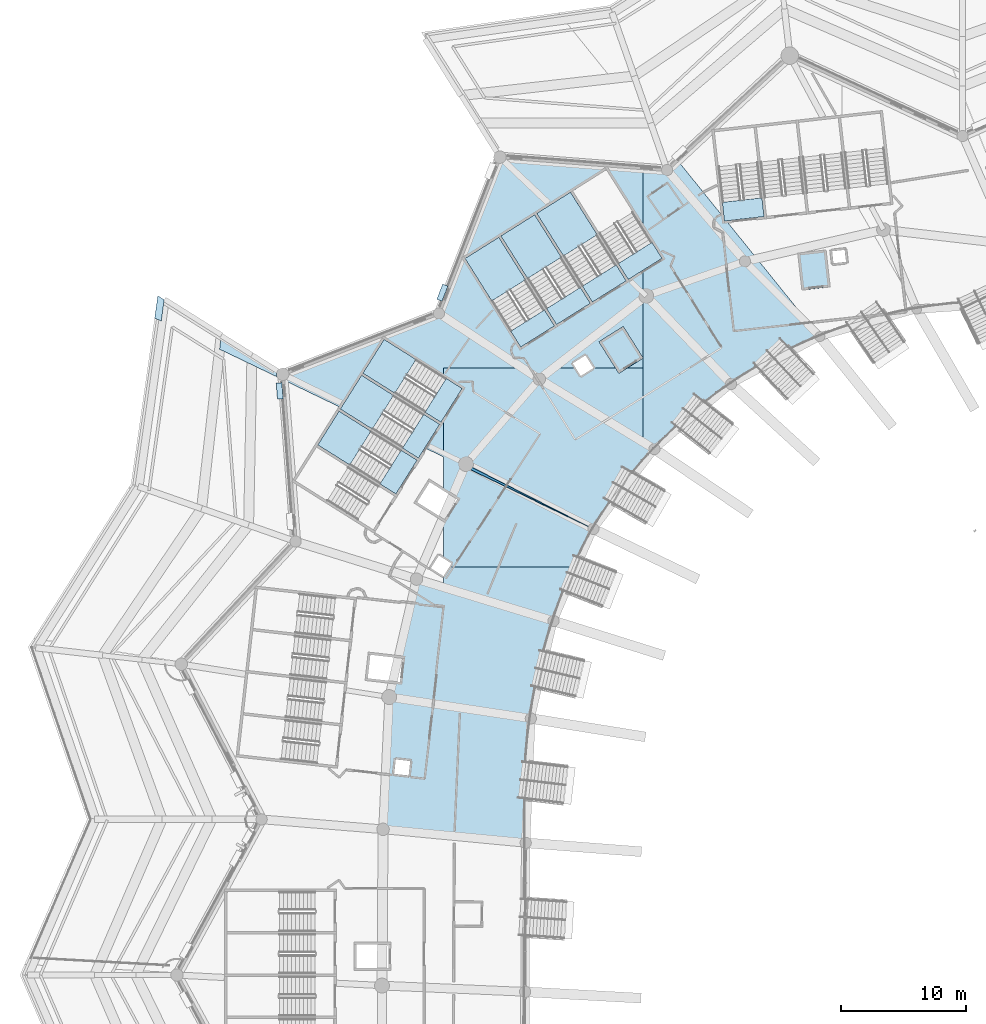
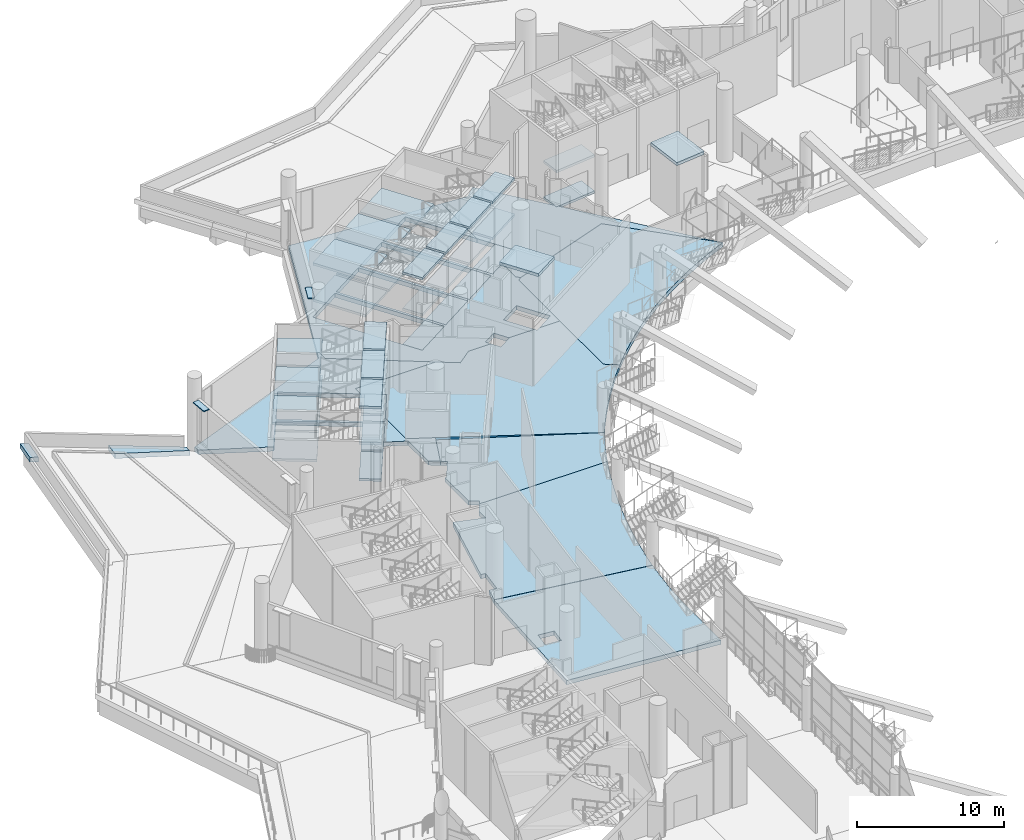
# One storey, part 34 of 173: 48 slabs, 2 plates, 8 elements without a shape of their own.
"""IFC4 building model written with IfcOpenShell, lengths in metres."""

from ifc_helpers import new_model, si_unit, direction, frame, origin, origin_2d, place, context, subcontext, project, spatial, polyline, rectangle, outline, extrude, material, layer, layer_set, type_object, element, aggregate, save


model = new_model("IFC4")

# Units and contexts
model_context = context("Model", 3, precision=1e-05, world=origin(), true_north=direction((0.0, 1.0)))
body_context = subcontext(model_context, "Body", "Model", "MODEL_VIEW")
ifc_project = project(units=[si_unit("LENGTHUNIT", "METRE"), si_unit("AREAUNIT", "SQUARE_METRE"), si_unit("VOLUMEUNIT", "CUBIC_METRE"), si_unit("PLANEANGLEUNIT", "RADIAN"), si_unit("MASSUNIT", "GRAM", prefix="KILO")], contexts=[model_context])

# Site, building, storey
site_placement = place(None, origin())
site = spatial("IfcSite", under=ifc_project, at=site_placement, CompositionType="ELEMENT")
building_placement = place(site_placement, origin())
building = spatial("IfcBuilding", under=site, at=building_placement, Name="Meseta Stadium", CompositionType="ELEMENT")
storey_placement = place(building_placement, frame((0.0, 0.0, 18.0)))
storey = spatial("IfcBuildingStorey", under=building, at=storey_placement, Name="L03", CompositionType="ELEMENT", Elevation=18.0)

# Slabs
ifc_material_1 = material(Name="Concrete C40/50", Category="concrete")
ifc_layer_1 = layer(ifc_material_1, 0.25)
ifc_layer_set_1 = layer_set([ifc_layer_1], Name="Core roof slab 250")
slab_type_1 = type_object("IfcSlabType", Name="Core roof slab 250", PredefinedType="ROOF", material=ifc_layer_set_1)
slab_1_placement = place(storey_placement, frame((0.0, 0.0, 4.60009765625)))
element("IfcSlab", 1, at=slab_1_placement, inside=storey, type_object=slab_type_1, Name="Core 12 lift overrun roof", PredefinedType="ROOF", context=body_context, shape_type="SweptSolid", body=[
    extrude(outline(polyline([(-49.289306640625, 89.46484375), (-48.95361328125, 86.483642578125), (-51.239013671875, 86.226318359375), (-51.574951171875, 89.207275390625), (-49.289306640625, 89.46484375)])), origin(), (0.0, 0.0, 1.0), 0.25),
])
slab_2_placement = place(storey_placement, frame((0.0, 0.0, 4.60009765625)))
element("IfcSlab", 2, at=slab_2_placement, inside=storey, type_object=slab_type_1, Name="Core 13 lift overrun roof", PredefinedType="ROOF", context=body_context, shape_type="SweptSolid", body=[
    extrude(outline(polyline([(-65.57421875, 83.313720703125), (-63.97802734375, 80.773681640625), (-65.925537109375, 79.5498046875), (-67.521728515625, 82.090087890625), (-65.57421875, 83.313720703125)])), origin(), (0.0, 0.0, 1.0), 0.25),
])
ifc_material_2 = material(Name="Concrete C40/50", Category="concrete")
ifc_layer_2 = layer(ifc_material_2, 0.35009765625)
ifc_layer_set_2 = layer_set([ifc_layer_2], Name="Floor slab 350")
slab_type_2 = type_object("IfcSlabType", Name="Floor slab 350", PredefinedType="FLOOR", material=ifc_layer_set_2)
slab_3_placement = place(storey_placement, frame((0.0, 0.0, -0.35009765625)))
element("IfcSlab", 3, at=slab_3_placement, inside=storey, type_object=slab_type_2, Name="Floor slab L03 sector 21 panel 03", PredefinedType="FLOOR", context=body_context, shape_type="SweptSolid", body=[
    extrude(outline(polyline([(-80.124267578125, 84.98388671875), (-80.365478515625, 84.365478515625), (-92.908447265625, 79.474609375), (-92.87451171875, 79.03369140625), (-88.2158203125, 76.793212890625), (-86.58056640625, 79.395751953125), (-80.314697265625, 75.458740234375), (-81.504150390625, 73.565673828125), (-80.0, 72.84228515625), (-80.0, 70.12353515625), (-79.308349609375, 69.68896484375), (-78.197998046875, 72.27197265625), (-80.0, 73.154296875), (-80.0, 75.959716796875), (-80.208251953125, 75.628173828125), (-86.47412109375, 79.565185546875), (-84.771484375, 82.274658203125), (-80.0, 79.276611328125), (-80.0, 80.0), (-73.699951171875, 80.0), (-80.0, 84.126220703125), (-80.0, 84.89990234375), (-80.124267578125, 84.98388671875)])), origin(), (0.0, 0.0, 1.0), 0.35009765625),
])
slab_4_placement = place(storey_placement, frame((0.0, 0.0, -0.35009765625)))
element("IfcSlab", 4, at=slab_4_placement, inside=storey, type_object=slab_type_2, Name="Floor slab L03 sector 21 panel 04", PredefinedType="FLOOR", context=body_context, shape_type="SweptSolid", body=[
    extrude(outline(polyline([(-80.0, 62.371826171875), (-82.169189453125, 63.03369140625), (-83.635498046875, 56.7060546875), (-83.2880859375, 56.6669921875), (-83.500732421875, 54.77880859375), (-84.0673828125, 54.842529296875), (-84.335693359375, 53.684326171875), (-72.99072265625, 51.857177734375), (-72.785400390625, 53.1728515625), (-72.539794921875, 54.491943359375), (-72.2548828125, 55.802978515625), (-71.931396484375, 57.104736328125), (-71.569580078125, 58.396484375), (-71.169677734375, 59.67724609375), (-70.73193359375, 60.945556640625), (-70.2568359375, 62.20068359375), (-69.74462890625, 63.441162109375), (-69.494384765625, 64.0), (-79.54296875, 64.0), (-80.0, 63.273681640625), (-80.0, 62.371826171875)])), origin(), (0.0, 0.0, 1.0), 0.35009765625),
])
slab_5_placement = place(storey_placement, frame((0.0, 0.0, -0.35009765625)))
element("IfcSlab", 5, at=slab_5_placement, inside=storey, type_object=slab_type_2, Name="Floor slab L03 sector 21 panel 05", PredefinedType="FLOOR", context=body_context, shape_type="SweptSolid", body=[
    extrude(outline(polyline([(-69.19580078125, 64.66650390625), (-68.610595703125, 65.875), (-67.972412109375, 67.057861328125), (-78.303466796875, 72.0263671875), (-79.308349609375, 69.68896484375), (-78.903564453125, 69.4345703125), (-79.914306640625, 67.82568359375), (-80.0, 67.879638671875), (-80.0, 64.69091796875), (-79.361083984375, 64.289306640625), (-79.54296875, 64.0), (-69.494384765625, 64.0), (-69.19580078125, 64.66650390625)])), origin(), (0.0, 0.0, 1.0), 0.35009765625),
])
slab_6_placement = place(storey_placement, frame((0.0, 0.0, -0.35009765625)))
element("IfcSlab", 6, at=slab_6_placement, inside=storey, type_object=slab_type_2, Name="Floor slab L03 sector 21 panel 06", PredefinedType="FLOOR", context=body_context, shape_type="SweptSolid", body=[
    extrude(outline(polyline([(-67.973388671875, 67.058349609375), (-78.197998046875, 72.27197265625), (-78.303466796875, 72.0263671875), (-67.973388671875, 67.058349609375)])), origin(), (0.0, 0.0, 1.0), 0.35009765625),
])
slab_7_placement = place(storey_placement, frame((0.0, 0.0, -0.35009765625)))
element("IfcSlab", 7, at=slab_7_placement, inside=storey, type_object=slab_type_2, Name="Floor slab L03 sector 21 panel 07", PredefinedType="FLOOR", context=body_context, shape_type="SweptSolid", body=[
    extrude(outline(polyline([(-80.0, 84.126220703125), (-72.31201171875, 79.091064453125), (-71.144287109375, 80.0), (-69.397216796875, 80.0), (-69.62158203125, 80.357177734375), (-68.605712890625, 80.99560546875), (-67.97998046875, 80.0), (-65.972412109375, 80.0), (-67.245849609375, 82.027099609375), (-65.63720703125, 83.0380859375), (-64.25390625, 80.83642578125), (-65.585205078125, 80.0), (-64.0, 80.0), (-64.0, 85.5615234375), (-63.731201171875, 85.77099609375), (-64.0, 86.02587890625), (-64.0, 87.8203125), (-65.1689453125, 87.085693359375), (-69.63818359375, 94.1982421875), (-66.9287109375, 95.90087890625), (-64.0, 91.239990234375), (-64.0, 96.023193359375), (-75.474609375, 96.908447265625), (-75.825927734375, 96.00732421875), (-75.818115234375, 96.0), (-75.828857421875, 96.0), (-80.124267578125, 84.98388671875), (-80.0, 84.89990234375), (-80.0, 84.126220703125)]), holes=[polyline([(-65.33837890625, 86.9794921875), (-68.0478515625, 85.27685546875), (-72.516845703125, 92.389404296875), (-69.807373046875, 94.091796875), (-65.33837890625, 86.9794921875)]), polyline([(-71.09619140625, 83.361572265625), (-73.8056640625, 81.6591796875), (-78.274658203125, 88.771484375), (-75.565185546875, 90.47412109375), (-71.09619140625, 83.361572265625)]), polyline([(-68.21728515625, 85.17041015625), (-70.9267578125, 83.468017578125), (-75.395751953125, 90.58056640625), (-72.686279296875, 92.282958984375), (-68.21728515625, 85.17041015625)])]), origin(), (0.0, 0.0, 1.0), 0.35009765625),
])
slab_8_placement = place(storey_placement, frame((0.0, 0.0, -0.35009765625)))
element("IfcSlab", 8, at=slab_8_placement, inside=storey, type_object=slab_type_2, Name="Floor slab L03 sector 21 panel 08", PredefinedType="FLOOR", context=body_context, shape_type="SweptSolid", body=[
    extrude(outline(polyline([(-67.972412109375, 67.057861328125), (-67.251953125, 68.197021484375), (-66.491455078125, 69.31005859375), (-65.69189453125, 70.39501953125), (-64.85400390625, 71.450927734375), (-63.97900390625, 72.476318359375), (-63.068115234375, 73.469970703125), (-63.068603515625, 73.47021484375), (-64.0, 74.098876953125), (-64.0, 80.0), (-65.585205078125, 80.0), (-65.86279296875, 79.82568359375), (-65.972412109375, 80.0), (-67.97998046875, 80.0), (-67.967041015625, 79.9794921875), (-68.983154296875, 79.341064453125), (-69.397216796875, 80.0), (-71.144287109375, 80.0), (-72.31201171875, 79.091064453125), (-73.699951171875, 80.0), (-80.0, 80.0), (-80.0, 79.276611328125), (-78.505859375, 78.337646484375), (-80.0, 75.959716796875), (-80.0, 73.154296875), (-78.197998046875, 72.27197265625), (-67.972412109375, 67.057861328125)])), origin(), (0.0, 0.0, 1.0), 0.35009765625),
])
slab_9_placement = place(storey_placement, frame((0.0, 0.0, -0.35009765625)))
element("IfcSlab", 9, at=slab_9_placement, inside=storey, type_object=slab_type_2, Name="Floor slab L03 sector 21 panel 09", PredefinedType="FLOOR", context=body_context, shape_type="SweptSolid", body=[
    extrude(outline(polyline([(-62.051513671875, 95.872802734375), (-64.0, 96.023193359375), (-64.0, 91.239990234375), (-62.45947265625, 88.788330078125), (-64.0, 87.8203125), (-64.0, 86.02587890625), (-63.731201171875, 85.77099609375), (-55.799560546875, 88.541748046875), (-49.791259765625, 82.4990234375), (-57.296142578125, 91.798095703125), (-57.449951171875, 91.78076171875), (-57.477294921875, 92.0224609375), (-61.21435546875, 96.653076171875), (-62.051513671875, 95.872802734375)])), origin(), (0.0, 0.0, 1.0), 0.35009765625),
])
slab_10_placement = place(storey_placement, frame((0.0, 0.0, -0.35009765625)))
element("IfcSlab", 10, at=slab_10_placement, inside=storey, type_object=slab_type_2, Name="Floor slab L03 sector 21 panel 10", PredefinedType="FLOOR", context=body_context, shape_type="SweptSolid", body=[
    extrude(outline(polyline([(-63.068115234375, 73.469970703125), (-62.12255859375, 74.430419921875), (-61.143310546875, 75.3564453125), (-60.131591796875, 76.247314453125), (-59.088623046875, 77.101318359375), (-58.01611328125, 77.91796875), (-56.9150390625, 78.69580078125), (-55.786865234375, 79.433837890625), (-54.63330078125, 80.13134765625), (-53.455322265625, 80.78759765625), (-52.254638671875, 81.401123046875), (-51.03271484375, 81.971923828125), (-49.791015625, 82.498779296875), (-55.799560546875, 88.541748046875), (-63.731201171875, 85.77099609375), (-64.0, 85.5615234375), (-64.0, 74.098876953125), (-63.068115234375, 73.469970703125)])), origin(), (0.0, 0.0, 1.0), 0.35009765625),
])
slab_11_placement = place(storey_placement, frame((0.0, 0.0, -0.35009765625)))
element("IfcSlab", 11, at=slab_11_placement, inside=storey, type_object=slab_type_2, Name="Floor slab L03 sector 28 panel 14", PredefinedType="FLOOR", context=body_context, shape_type="SweptSolid", body=[
    extrude(outline(polyline([(-72.993408203125, 51.837158203125), (-84.34033203125, 53.664794921875), (-84.36328125, 53.5654296875), (-84.85400390625, 42.948486328125), (-73.40478515625, 41.8623046875), (-73.375732421875, 47.840087890625), (-73.287353515625, 49.1796875), (-73.15966796875, 50.515625), (-72.993408203125, 51.837158203125)]), holes=[polyline([(-83.84716796875, 48.57861328125), (-82.65478515625, 48.444091796875), (-82.7890625, 47.251708984375), (-83.9814453125, 47.385986328125), (-83.84716796875, 48.57861328125)])]), origin(), (0.0, 0.0, 1.0), 0.35009765625),
])

# Plates
ifc_material_3 = material(Name="White precast concrete C40/50", Category="concrete")
ifc_layer_3 = layer(ifc_material_3, 0.080078125)
ifc_layer_set_3 = layer_set([ifc_layer_3], Name="Louvre hood 1300x450")
plate_type = type_object("IfcPlateType", Name="Louvre hood 1300x450", PredefinedType="USERDEFINED", material=ifc_layer_set_3)
for number, where, z_axis, x_axis, name in (
    (12, (-80.092041015625, 86.02978515625, 4.25), (0.0, 0.0, 1.0), (-0.363280249803, -0.931679912901, 0.0), "Louvre hood L03 F24"),
    (13, (-93.156494140625, 78.138671875, 4.25), (0.0, 0.0, 1.0), (0.076936568886, -0.997035989505, 0.0), "Louvre hood L03 F26"),
):
    element("IfcPlate", number, at=place(storey_placement, frame(where, z_axis=z_axis, x_axis=x_axis)), inside=storey, type_object=plate_type, Name=name, ObjectType="LOUVRE", PredefinedType="USERDEFINED", context=body_context, shape_type="SweptSolid", body=[
        extrude(rectangle(XDim=1.300048828125, YDim=0.449951171875, at=origin_2d()), origin(), (0.0, 0.0, 1.0), 0.080078125),
    ])

# Slabs
ifc_material_4 = material(Name="Concrete C40/50", Category="concrete")
ifc_layer_4 = layer(ifc_material_4, 0.39990234375)
ifc_layer_set_4 = layer_set([ifc_layer_4], Name="Roof garden slab 400")
slab_type_3 = type_object("IfcSlabType", Name="Roof garden slab 400", PredefinedType="ROOF", material=ifc_layer_set_4)
slab_12_placement = place(storey_placement, frame((0.0, 0.0, -0.39990234375)))
element("IfcSlab", 14, at=slab_12_placement, inside=storey, type_object=slab_type_3, Name="Roof garden slab 4 part 2 panel 02", PredefinedType="ROOF", context=body_context, shape_type="SweptSolid", body=[
    extrude(outline(polyline([(-102.42431640625, 85.45361328125), (-102.93212890625, 85.77294921875), (-103.186279296875, 83.992919921875), (-102.663818359375, 83.74169921875), (-102.42431640625, 85.45361328125)])), origin(), (0.0, 0.0, 1.0), 0.39990234375),
])
slab_13_placement = place(storey_placement, frame((0.0, 0.0, -0.39990234375)))
element("IfcSlab", 15, at=slab_13_placement, inside=storey, type_object=slab_type_3, Name="Roof garden slab 4 part 2 panel 05", PredefinedType="ROOF", context=body_context, shape_type="SweptSolid", body=[
    extrude(outline(polyline([(-93.333740234375, 79.74169921875), (-97.851806640625, 82.580810546875), (-97.9755859375, 81.487060546875), (-93.364990234375, 79.26953125), (-93.395751953125, 79.343994140625), (-93.412841796875, 79.474609375), (-93.395751953125, 79.60498046875), (-93.34521484375, 79.726806640625), (-93.333740234375, 79.74169921875)])), origin(), (0.0, 0.0, 1.0), 0.39990234375),
])

# Stair, slabs
ifc_material_5 = material(Name="Concrete C40/50", Category="concrete")
stair_type = type_object("IfcStairType", Name="Exit stair 4 flights 150 mm risers", PredefinedType="HALF_TURN_STAIR", material=ifc_material_5)
stair_1_placement = place(storey_placement, origin())
stair_1 = element("IfcStair", 16, at=stair_1_placement, inside=storey, type_object=stair_type, Name="ST48 L03", PredefinedType="HALF_TURN_STAIR")
ifc_material_6 = material(Name="Concrete C40/50", Category="concrete")
ifc_layer_5 = layer(ifc_material_6, 0.199951171875)
ifc_layer_set_5 = layer_set([ifc_layer_5], Name="Stair landing 200")
slab_type_4 = type_object("IfcSlabType", Name="Stair landing 200", PredefinedType="LANDING", material=ifc_layer_set_5)
slab_14_placement = place(storey_placement, frame((0.0, 0.0, 2.800048828125)))
slab_14 = element("IfcSlab", 17, at=slab_14_placement, type_object=slab_type_4, Name="ST48 L03 landing 2", PredefinedType="LANDING", context=body_context, shape_type="SweptSolid", body=[
    extrude(outline(polyline([(-54.27001953125, 92.138916015625), (-54.439208984375, 93.639404296875), (-57.618896484375, 93.28125), (-57.449951171875, 91.78076171875), (-54.27001953125, 92.138916015625)])), origin(), (0.0, 0.0, 1.0), 0.199951171875),
])
slab_15_placement = place(storey_placement, frame((0.0, 0.0, -0.199951171875)))
slab_15 = element("IfcSlab", 18, at=slab_15_placement, type_object=slab_type_4, Name="ST48 L03 landing 4", PredefinedType="LANDING", context=body_context, shape_type="SweptSolid", body=[
    extrude(outline(polyline([(-54.27001953125, 92.138916015625), (-54.439208984375, 93.639404296875), (-57.618896484375, 93.28125), (-57.449951171875, 91.78076171875), (-54.27001953125, 92.138916015625)])), origin(), (0.0, 0.0, 1.0), 0.199951171875),
])
aggregate(stair_1, [slab_14, slab_15])

stair_2_placement = place(storey_placement, origin())
stair_2 = element("IfcStair", 19, at=stair_2_placement, inside=storey, type_object=stair_type, Name="ST49 L03", PredefinedType="HALF_TURN_STAIR")
slab_16_placement = place(storey_placement, frame((0.0, 0.0, 2.800048828125)))
slab_16 = element("IfcSlab", 20, at=slab_16_placement, type_object=slab_type_4, Name="ST49 L03 landing 2", PredefinedType="LANDING", context=body_context, shape_type="SweptSolid", body=[
    extrude(outline(polyline([(-62.45947265625, 88.788330078125), (-63.262939453125, 90.06689453125), (-65.972412109375, 88.364501953125), (-65.1689453125, 87.0859375), (-62.45947265625, 88.788330078125)])), origin(), (0.0, 0.0, 1.0), 0.199951171875),
])
slab_17_placement = place(storey_placement, frame((0.0, 0.0, -0.199951171875)))
slab_17 = element("IfcSlab", 21, at=slab_17_placement, type_object=slab_type_4, Name="ST49 L03 landing 4", PredefinedType="LANDING", context=body_context, shape_type="SweptSolid", body=[
    extrude(outline(polyline([(-62.45947265625, 88.788330078125), (-63.262939453125, 90.06689453125), (-65.972412109375, 88.364501953125), (-65.1689453125, 87.0859375), (-62.45947265625, 88.788330078125)])), origin(), (0.0, 0.0, 1.0), 0.199951171875),
])
slab_18_placement = place(storey_placement, frame((0.0, 0.0, 5.800048828125)))
slab_18 = element("IfcSlab", 22, at=slab_18_placement, type_object=slab_type_4, Name="ST49 L03 landing 5", PredefinedType="LANDING", context=body_context, shape_type="SweptSolid", body=[
    extrude(outline(polyline([(-62.45947265625, 88.788330078125), (-63.262939453125, 90.06689453125), (-65.972412109375, 88.364501953125), (-65.1689453125, 87.0859375), (-62.45947265625, 88.788330078125)])), origin(), (0.0, 0.0, 1.0), 0.199951171875),
])
aggregate(stair_2, [slab_16, slab_17, slab_18])

stair_3_placement = place(storey_placement, origin())
stair_3 = element("IfcStair", 23, at=stair_3_placement, inside=storey, type_object=stair_type, Name="ST50 L03", PredefinedType="HALF_TURN_STAIR")
slab_19_placement = place(storey_placement, frame((0.0, 0.0, 1.300048828125)))
slab_19 = element("IfcSlab", 24, at=slab_19_placement, type_object=slab_type_4, Name="ST50 L03 landing 1", PredefinedType="LANDING", context=body_context, shape_type="SweptSolid", body=[
    extrude(outline(polyline([(-67.663330078125, 90.6796875), (-69.807373046875, 94.091796875), (-72.516845703125, 92.389404296875), (-70.372802734375, 88.97705078125), (-67.663330078125, 90.6796875)])), origin(), (0.0, 0.0, 1.0), 0.199951171875),
])
slab_20_placement = place(storey_placement, frame((0.0, 0.0, 2.800048828125)))
slab_20 = element("IfcSlab", 25, at=slab_20_placement, type_object=slab_type_4, Name="ST50 L03 landing 2", PredefinedType="LANDING", context=body_context, shape_type="SweptSolid", body=[
    extrude(outline(polyline([(-65.33837890625, 86.9794921875), (-66.1416015625, 88.258056640625), (-68.851318359375, 86.555419921875), (-68.0478515625, 85.27685546875), (-65.33837890625, 86.9794921875)])), origin(), (0.0, 0.0, 1.0), 0.199951171875),
])
slab_21_placement = place(storey_placement, frame((0.0, 0.0, 4.300048828125)))
slab_21 = element("IfcSlab", 26, at=slab_21_placement, type_object=slab_type_4, Name="ST50 L03 landing 3", PredefinedType="LANDING", context=body_context, shape_type="SweptSolid", body=[
    extrude(outline(polyline([(-67.663330078125, 90.6796875), (-69.807373046875, 94.091796875), (-72.516845703125, 92.389404296875), (-70.372802734375, 88.97705078125), (-67.663330078125, 90.6796875)])), origin(), (0.0, 0.0, 1.0), 0.199951171875),
])
slab_22_placement = place(storey_placement, frame((0.0, 0.0, -0.199951171875)))
slab_22 = element("IfcSlab", 27, at=slab_22_placement, type_object=slab_type_4, Name="ST50 L03 landing 4", PredefinedType="LANDING", context=body_context, shape_type="SweptSolid", body=[
    extrude(outline(polyline([(-65.33837890625, 86.9794921875), (-66.1416015625, 88.258056640625), (-68.851318359375, 86.555419921875), (-68.0478515625, 85.27685546875), (-65.33837890625, 86.9794921875)])), origin(), (0.0, 0.0, 1.0), 0.199951171875),
])
slab_23_placement = place(storey_placement, frame((0.0, 0.0, 5.800048828125)))
slab_23 = element("IfcSlab", 28, at=slab_23_placement, type_object=slab_type_4, Name="ST50 L03 landing 5", PredefinedType="LANDING", context=body_context, shape_type="SweptSolid", body=[
    extrude(outline(polyline([(-65.33837890625, 86.9794921875), (-66.1416015625, 88.258056640625), (-68.851318359375, 86.555419921875), (-68.0478515625, 85.27685546875), (-65.33837890625, 86.9794921875)])), origin(), (0.0, 0.0, 1.0), 0.199951171875),
])
aggregate(stair_3, [slab_19, slab_20, slab_21, slab_22, slab_23])

stair_4_placement = place(storey_placement, origin())
stair_4 = element("IfcStair", 29, at=stair_4_placement, inside=storey, type_object=stair_type, Name="ST51 L03", PredefinedType="HALF_TURN_STAIR")
slab_24_placement = place(storey_placement, frame((0.0, 0.0, 1.300048828125)))
slab_24 = element("IfcSlab", 30, at=slab_24_placement, type_object=slab_type_4, Name="ST51 L03 landing 1", PredefinedType="LANDING", context=body_context, shape_type="SweptSolid", body=[
    extrude(outline(polyline([(-70.542236328125, 88.87060546875), (-72.686279296875, 92.282958984375), (-75.395751953125, 90.58056640625), (-73.251708984375, 87.168212890625), (-70.542236328125, 88.87060546875)])), origin(), (0.0, 0.0, 1.0), 0.199951171875),
])
slab_25_placement = place(storey_placement, frame((0.0, 0.0, 2.800048828125)))
slab_25 = element("IfcSlab", 31, at=slab_25_placement, type_object=slab_type_4, Name="ST51 L03 landing 2", PredefinedType="LANDING", context=body_context, shape_type="SweptSolid", body=[
    extrude(outline(polyline([(-68.21728515625, 85.17041015625), (-69.0205078125, 86.448974609375), (-71.72998046875, 84.74658203125), (-70.9267578125, 83.468017578125), (-68.21728515625, 85.17041015625)])), origin(), (0.0, 0.0, 1.0), 0.199951171875),
])
slab_26_placement = place(storey_placement, frame((0.0, 0.0, 4.300048828125)))
slab_26 = element("IfcSlab", 32, at=slab_26_placement, type_object=slab_type_4, Name="ST51 L03 landing 3", PredefinedType="LANDING", context=body_context, shape_type="SweptSolid", body=[
    extrude(outline(polyline([(-70.542236328125, 88.87060546875), (-72.686279296875, 92.282958984375), (-75.395751953125, 90.58056640625), (-73.251708984375, 87.168212890625), (-70.542236328125, 88.87060546875)])), origin(), (0.0, 0.0, 1.0), 0.199951171875),
])
slab_27_placement = place(storey_placement, frame((0.0, 0.0, -0.199951171875)))
slab_27 = element("IfcSlab", 33, at=slab_27_placement, type_object=slab_type_4, Name="ST51 L03 landing 4", PredefinedType="LANDING", context=body_context, shape_type="SweptSolid", body=[
    extrude(outline(polyline([(-68.21728515625, 85.17041015625), (-69.0205078125, 86.448974609375), (-71.72998046875, 84.74658203125), (-70.9267578125, 83.468017578125), (-68.21728515625, 85.17041015625)])), origin(), (0.0, 0.0, 1.0), 0.199951171875),
])
slab_28_placement = place(storey_placement, frame((0.0, 0.0, 5.800048828125)))
slab_28 = element("IfcSlab", 34, at=slab_28_placement, type_object=slab_type_4, Name="ST51 L03 landing 5", PredefinedType="LANDING", context=body_context, shape_type="SweptSolid", body=[
    extrude(outline(polyline([(-68.21728515625, 85.17041015625), (-69.0205078125, 86.448974609375), (-71.72998046875, 84.74658203125), (-70.9267578125, 83.468017578125), (-68.21728515625, 85.17041015625)])), origin(), (0.0, 0.0, 1.0), 0.199951171875),
])
aggregate(stair_4, [slab_24, slab_25, slab_26, slab_27, slab_28])

stair_5_placement = place(storey_placement, origin())
stair_5 = element("IfcStair", 35, at=stair_5_placement, inside=storey, type_object=stair_type, Name="ST52 L03", PredefinedType="HALF_TURN_STAIR")
slab_29_placement = place(storey_placement, frame((0.0, 0.0, 1.300048828125)))
slab_29 = element("IfcSlab", 36, at=slab_29_placement, type_object=slab_type_4, Name="ST52 L03 landing 1", PredefinedType="LANDING", context=body_context, shape_type="SweptSolid", body=[
    extrude(outline(polyline([(-73.421142578125, 87.061767578125), (-75.565185546875, 90.47412109375), (-78.274658203125, 88.771484375), (-76.130615234375, 85.359375), (-73.421142578125, 87.061767578125)])), origin(), (0.0, 0.0, 1.0), 0.199951171875),
])
slab_30_placement = place(storey_placement, frame((0.0, 0.0, 2.800048828125)))
slab_30 = element("IfcSlab", 37, at=slab_30_placement, type_object=slab_type_4, Name="ST52 L03 landing 2", PredefinedType="LANDING", context=body_context, shape_type="SweptSolid", body=[
    extrude(outline(polyline([(-71.095947265625, 83.361572265625), (-71.8994140625, 84.64013671875), (-74.60888671875, 82.937744140625), (-73.8056640625, 81.6591796875), (-71.095947265625, 83.361572265625)])), origin(), (0.0, 0.0, 1.0), 0.199951171875),
])
slab_31_placement = place(storey_placement, frame((0.0, 0.0, 4.300048828125)))
slab_31 = element("IfcSlab", 38, at=slab_31_placement, type_object=slab_type_4, Name="ST52 L03 landing 3", PredefinedType="LANDING", context=body_context, shape_type="SweptSolid", body=[
    extrude(outline(polyline([(-73.421142578125, 87.061767578125), (-75.565185546875, 90.47412109375), (-78.274658203125, 88.771484375), (-76.130615234375, 85.359375), (-73.421142578125, 87.061767578125)])), origin(), (0.0, 0.0, 1.0), 0.199951171875),
])
slab_32_placement = place(storey_placement, frame((0.0, 0.0, -0.199951171875)))
slab_32 = element("IfcSlab", 39, at=slab_32_placement, type_object=slab_type_4, Name="ST52 L03 landing 4", PredefinedType="LANDING", context=body_context, shape_type="SweptSolid", body=[
    extrude(outline(polyline([(-71.095947265625, 83.361572265625), (-71.8994140625, 84.64013671875), (-74.60888671875, 82.937744140625), (-73.8056640625, 81.6591796875), (-71.095947265625, 83.361572265625)])), origin(), (0.0, 0.0, 1.0), 0.199951171875),
])
slab_33_placement = place(storey_placement, frame((0.0, 0.0, 5.800048828125)))
slab_33 = element("IfcSlab", 40, at=slab_33_placement, type_object=slab_type_4, Name="ST52 L03 landing 5", PredefinedType="LANDING", context=body_context, shape_type="SweptSolid", body=[
    extrude(outline(polyline([(-71.095947265625, 83.361572265625), (-71.8994140625, 84.64013671875), (-74.60888671875, 82.937744140625), (-73.8056640625, 81.6591796875), (-71.095947265625, 83.361572265625)])), origin(), (0.0, 0.0, 1.0), 0.199951171875),
])
aggregate(stair_5, [slab_29, slab_30, slab_31, slab_32, slab_33])

stair_6_placement = place(storey_placement, origin())
stair_6 = element("IfcStair", 41, at=stair_6_placement, inside=storey, type_object=stair_type, Name="ST53 L03", PredefinedType="HALF_TURN_STAIR")
slab_34_placement = place(storey_placement, frame((0.0, 0.0, 1.300048828125)))
slab_34 = element("IfcSlab", 42, at=slab_34_placement, type_object=slab_type_4, Name="ST53 L03 landing 1", PredefinedType="LANDING", context=body_context, shape_type="SweptSolid", body=[
    extrude(outline(polyline([(-82.2060546875, 80.66259765625), (-84.771484375, 82.274658203125), (-86.47412109375, 79.565185546875), (-83.908447265625, 77.953125), (-82.2060546875, 80.66259765625)])), origin(), (0.0, 0.0, 1.0), 0.199951171875),
])
slab_35_placement = place(storey_placement, frame((0.0, 0.0, 2.800048828125)))
slab_35 = element("IfcSlab", 43, at=slab_35_placement, type_object=slab_type_4, Name="ST53 L03 landing 2", PredefinedType="LANDING", context=body_context, shape_type="SweptSolid", body=[
    extrude(outline(polyline([(-78.505859375, 78.337646484375), (-79.784423828125, 79.140869140625), (-81.48681640625, 76.431396484375), (-80.208251953125, 75.628173828125), (-78.505859375, 78.337646484375)])), origin(), (0.0, 0.0, 1.0), 0.199951171875),
])
slab_36_placement = place(storey_placement, frame((0.0, 0.0, 4.300048828125)))
slab_36 = element("IfcSlab", 44, at=slab_36_placement, type_object=slab_type_4, Name="ST53 L03 landing 3", PredefinedType="LANDING", context=body_context, shape_type="SweptSolid", body=[
    extrude(outline(polyline([(-82.2060546875, 80.66259765625), (-84.771484375, 82.274658203125), (-86.47412109375, 79.565185546875), (-83.908447265625, 77.953125), (-82.2060546875, 80.66259765625)])), origin(), (0.0, 0.0, 1.0), 0.199951171875),
])
slab_37_placement = place(storey_placement, frame((0.0, 0.0, -0.199951171875)))
slab_37 = element("IfcSlab", 45, at=slab_37_placement, type_object=slab_type_4, Name="ST53 L03 landing 4", PredefinedType="LANDING", context=body_context, shape_type="SweptSolid", body=[
    extrude(outline(polyline([(-78.505859375, 78.337646484375), (-79.784423828125, 79.140869140625), (-81.48681640625, 76.431396484375), (-80.208251953125, 75.628173828125), (-78.505859375, 78.337646484375)])), origin(), (0.0, 0.0, 1.0), 0.199951171875),
])
slab_38_placement = place(storey_placement, frame((0.0, 0.0, 5.800048828125)))
slab_38 = element("IfcSlab", 46, at=slab_38_placement, type_object=slab_type_4, Name="ST53 L03 landing 5", PredefinedType="LANDING", context=body_context, shape_type="SweptSolid", body=[
    extrude(outline(polyline([(-78.505859375, 78.337646484375), (-79.784423828125, 79.140869140625), (-81.48681640625, 76.431396484375), (-80.208251953125, 75.628173828125), (-78.505859375, 78.337646484375)])), origin(), (0.0, 0.0, 1.0), 0.199951171875),
])
aggregate(stair_6, [slab_34, slab_35, slab_36, slab_37, slab_38])

stair_7_placement = place(storey_placement, origin())
stair_7 = element("IfcStair", 47, at=stair_7_placement, inside=storey, type_object=stair_type, Name="ST54 L03", PredefinedType="HALF_TURN_STAIR")
slab_39_placement = place(storey_placement, frame((0.0, 0.0, 1.300048828125)))
slab_39 = element("IfcSlab", 48, at=slab_39_placement, type_object=slab_type_4, Name="ST54 L03 landing 1", PredefinedType="LANDING", context=body_context, shape_type="SweptSolid", body=[
    extrude(outline(polyline([(-84.014892578125, 77.78369140625), (-86.58056640625, 79.395751953125), (-88.282958984375, 76.686279296875), (-85.717529296875, 75.07421875), (-84.014892578125, 77.78369140625)])), origin(), (0.0, 0.0, 1.0), 0.199951171875),
])
slab_40_placement = place(storey_placement, frame((0.0, 0.0, 2.800048828125)))
slab_40 = element("IfcSlab", 49, at=slab_40_placement, type_object=slab_type_4, Name="ST54 L03 landing 2", PredefinedType="LANDING", context=body_context, shape_type="SweptSolid", body=[
    extrude(outline(polyline([(-80.314697265625, 75.458740234375), (-81.59326171875, 76.26220703125), (-83.2958984375, 73.552490234375), (-82.017333984375, 72.749267578125), (-80.314697265625, 75.458740234375)])), origin(), (0.0, 0.0, 1.0), 0.199951171875),
])
slab_41_placement = place(storey_placement, frame((0.0, 0.0, 4.300048828125)))
slab_41 = element("IfcSlab", 50, at=slab_41_placement, type_object=slab_type_4, Name="ST54 L03 landing 3", PredefinedType="LANDING", context=body_context, shape_type="SweptSolid", body=[
    extrude(outline(polyline([(-84.014892578125, 77.78369140625), (-86.58056640625, 79.395751953125), (-88.282958984375, 76.686279296875), (-85.717529296875, 75.07421875), (-84.014892578125, 77.78369140625)])), origin(), (0.0, 0.0, 1.0), 0.199951171875),
])
slab_42_placement = place(storey_placement, frame((0.0, 0.0, -0.199951171875)))
slab_42 = element("IfcSlab", 51, at=slab_42_placement, type_object=slab_type_4, Name="ST54 L03 landing 4", PredefinedType="LANDING", context=body_context, shape_type="SweptSolid", body=[
    extrude(outline(polyline([(-80.314697265625, 75.458740234375), (-81.59326171875, 76.26220703125), (-83.2958984375, 73.552490234375), (-82.017333984375, 72.749267578125), (-80.314697265625, 75.458740234375)])), origin(), (0.0, 0.0, 1.0), 0.199951171875),
])
slab_43_placement = place(storey_placement, frame((0.0, 0.0, 5.800048828125)))
slab_43 = element("IfcSlab", 52, at=slab_43_placement, type_object=slab_type_4, Name="ST54 L03 landing 5", PredefinedType="LANDING", context=body_context, shape_type="SweptSolid", body=[
    extrude(outline(polyline([(-80.314697265625, 75.458740234375), (-81.59326171875, 76.26220703125), (-83.2958984375, 73.552490234375), (-82.017333984375, 72.749267578125), (-80.314697265625, 75.458740234375)])), origin(), (0.0, 0.0, 1.0), 0.199951171875),
])
aggregate(stair_7, [slab_39, slab_40, slab_41, slab_42, slab_43])

stair_8_placement = place(storey_placement, origin())
stair_8 = element("IfcStair", 53, at=stair_8_placement, inside=storey, type_object=stair_type, Name="ST55 L03", PredefinedType="HALF_TURN_STAIR")
slab_44_placement = place(storey_placement, frame((0.0, 0.0, 1.300048828125)))
slab_44 = element("IfcSlab", 54, at=slab_44_placement, type_object=slab_type_4, Name="ST55 L03 landing 1", PredefinedType="LANDING", context=body_context, shape_type="SweptSolid", body=[
    extrude(outline(polyline([(-85.82373046875, 74.90478515625), (-88.389404296875, 76.516845703125), (-90.091796875, 73.807373046875), (-87.5263671875, 72.1953125), (-85.82373046875, 74.90478515625)])), origin(), (0.0, 0.0, 1.0), 0.199951171875),
])
slab_45_placement = place(storey_placement, frame((0.0, 0.0, 2.800048828125)))
slab_45 = element("IfcSlab", 55, at=slab_45_placement, type_object=slab_type_4, Name="ST55 L03 landing 2", PredefinedType="LANDING", context=body_context, shape_type="SweptSolid", body=[
    extrude(outline(polyline([(-82.12353515625, 72.579833984375), (-83.402099609375, 73.38330078125), (-85.104736328125, 70.673828125), (-83.826171875, 69.870361328125), (-82.12353515625, 72.579833984375)])), origin(), (0.0, 0.0, 1.0), 0.199951171875),
])
slab_46_placement = place(storey_placement, frame((0.0, 0.0, 4.300048828125)))
slab_46 = element("IfcSlab", 56, at=slab_46_placement, type_object=slab_type_4, Name="ST55 L03 landing 3", PredefinedType="LANDING", context=body_context, shape_type="SweptSolid", body=[
    extrude(outline(polyline([(-85.82373046875, 74.90478515625), (-88.389404296875, 76.516845703125), (-90.091796875, 73.807373046875), (-87.5263671875, 72.1953125), (-85.82373046875, 74.90478515625)])), origin(), (0.0, 0.0, 1.0), 0.199951171875),
])
slab_47_placement = place(storey_placement, frame((0.0, 0.0, -0.199951171875)))
slab_47 = element("IfcSlab", 57, at=slab_47_placement, type_object=slab_type_4, Name="ST55 L03 landing 4", PredefinedType="LANDING", context=body_context, shape_type="SweptSolid", body=[
    extrude(outline(polyline([(-82.12353515625, 72.579833984375), (-83.402099609375, 73.38330078125), (-85.104736328125, 70.673828125), (-83.826171875, 69.870361328125), (-82.12353515625, 72.579833984375)])), origin(), (0.0, 0.0, 1.0), 0.199951171875),
])
slab_48_placement = place(storey_placement, frame((0.0, 0.0, 5.800048828125)))
slab_48 = element("IfcSlab", 58, at=slab_48_placement, type_object=slab_type_4, Name="ST55 L03 landing 5", PredefinedType="LANDING", context=body_context, shape_type="SweptSolid", body=[
    extrude(outline(polyline([(-82.12353515625, 72.579833984375), (-83.402099609375, 73.38330078125), (-85.104736328125, 70.673828125), (-83.826171875, 69.870361328125), (-82.12353515625, 72.579833984375)])), origin(), (0.0, 0.0, 1.0), 0.199951171875),
])
aggregate(stair_8, [slab_44, slab_45, slab_46, slab_47, slab_48])

save(model, "model.ifc")
